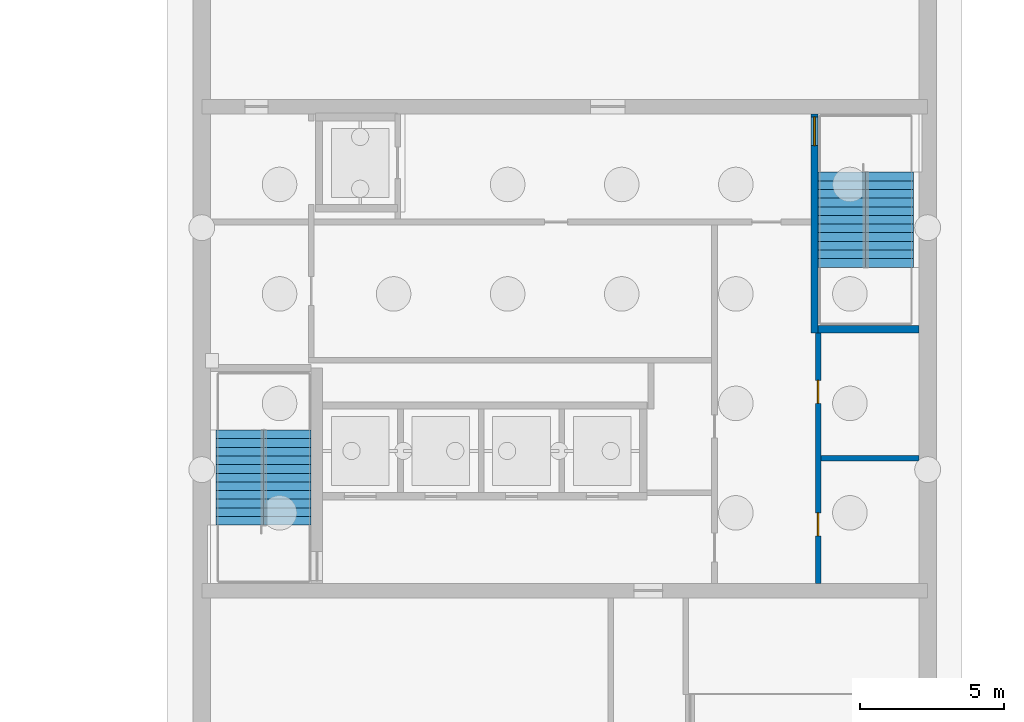
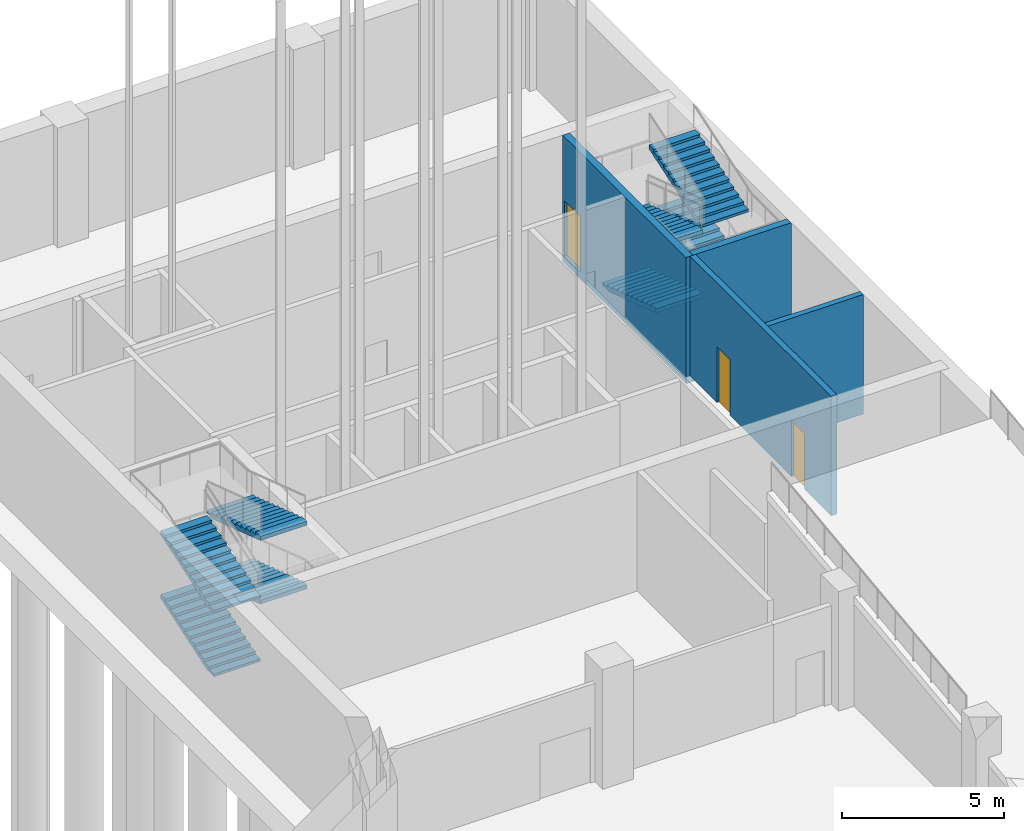
# One storey, part 10 of 26: 8 stair flights, 4 walls, 3 doors, 3 openings, 2 elements without a shape of their own.
"""IFC4 building model written with IfcOpenShell, lengths in metres."""

from ifc_helpers import new_model, si_unit, direction, frame, frame_2d, origin, place, context, subcontext, project, spatial, polyline, rectangle, outline, extrude, material, layer, layer_set, type_object, element, fill, aggregate, save


model = new_model("IFC4")

# Units and contexts
model_context = context("Model", 3, precision=1e-05, world=origin(), true_north=direction((0.0, 1.0)))
body_context = subcontext(model_context, "Body", "Model", "MODEL_VIEW")
ifc_project = project(units=[si_unit("LENGTHUNIT", "METRE"), si_unit("AREAUNIT", "SQUARE_METRE"), si_unit("VOLUMEUNIT", "CUBIC_METRE"), si_unit("PLANEANGLEUNIT", "RADIAN"), si_unit("MASSUNIT", "GRAM", prefix="KILO")], contexts=[model_context])

# Site, building, storey
site_placement = place(None, origin())
site = spatial("IfcSite", under=ifc_project, at=site_placement, CompositionType="ELEMENT")
building_placement = place(site_placement, origin())
building = spatial("IfcBuilding", under=site, at=building_placement, Name="Rulbaag Community and Learning Centre", CompositionType="ELEMENT")
storey_placement = place(building_placement, frame((0.0, 0.0, -9.60009765625)))
storey = spatial("IfcBuildingStorey", under=building, at=storey_placement, Name="B2", CompositionType="ELEMENT", Elevation=-9.60009765625)

# Wall
ifc_material_1 = material(Name="Concrete blockwork", Category="masonry")
ifc_layer_1 = layer(ifc_material_1, 0.199951171875)
ifc_layer_set_1 = layer_set([ifc_layer_1], Name="FW-200 FIRE WALL 200")
wall_type_1 = type_object("IfcWallType", Name="FW-200 FIRE WALL 200", PredefinedType="SOLIDWALL", material=ifc_layer_set_1)
wall_1_placement = place(storey_placement, frame((164.300048828125, 97.0, 0.0), z_axis=(0.0, 0.0, 1.0), x_axis=(1.0, 0.0, 0.0)))
element("IfcWall", 1, at=wall_1_placement, inside=storey, type_object=wall_type_1, Name="Fire wall B2 17", PredefinedType="SOLIDWALL", context=body_context, shape_type="SweptSolid", body=[
    extrude(rectangle(XDim=3.39990234375, YDim=0.199951171875, at=frame_2d((1.699951171875, 0.0))), origin(), (0.0, 0.0, 1.0), 4.5),
])

# Wall, openings, doors
wall_2_placement = place(storey_placement, frame((164.199951171875, 92.64990234375, 0.0), z_axis=(0.0, 0.0, 1.0), x_axis=(0.0, 1.0, 0.0)))
wall_2 = element("IfcWall", 2, at=wall_2_placement, inside=storey, type_object=wall_type_1, Name="Fire wall B2 33", PredefinedType="SOLIDWALL", context=body_context, shape_type="SweptSolid", body=[
    extrude(rectangle(XDim=8.7001953125, YDim=0.199951171875, at=frame_2d((4.35009765625, 0.0))), origin(), (0.0, 0.0, 1.0), 4.5),
])
opening_1_placement = place(wall_2_placement, frame((1.64990234375, 0.0, 0.0)))
opening_1 = element("IfcOpeningElement", 3, at=opening_1_placement, cuts=wall_2, Name="Opening B2-D025", PredefinedType="OPENING", context=body_context, shape_type="SweptSolid", body=[
    extrude(rectangle(XDim=0.800048828125, YDim=2.10009765625, at=frame_2d((0.39990234375, 1.050048828125))), frame((0.0, 0.10986328125, 0.0), z_axis=(0.0, -1.0, 0.0), x_axis=(1.0, 0.0, 0.0)), (0.0, 0.0, 1.0), 0.219970703125),
])
opening_2_placement = place(wall_2_placement, frame((6.25, 0.0, 0.0)))
opening_2 = element("IfcOpeningElement", 4, at=opening_2_placement, cuts=wall_2, Name="Opening B2-D026", PredefinedType="OPENING", context=body_context, shape_type="SweptSolid", body=[
    extrude(rectangle(XDim=0.800048828125, YDim=2.10009765625, at=frame_2d((0.39990234375, 1.050048828125))), frame((0.0, 0.10986328125, 0.0), z_axis=(0.0, -1.0, 0.0), x_axis=(1.0, 0.0, 0.0)), (0.0, 0.0, 1.0), 0.219970703125),
])
ifc_material_2 = material(Name="Galvanised steel", Category="steel")
door_type_1 = type_object("IfcDoorType", Name="FDR-800 RISER FIRE DOOR 800 x 2100", OperationType="SINGLE_SWING_LEFT", PredefinedType="DOOR", material=ifc_material_2)
door_1_placement = place(opening_1_placement, origin())
door_1 = element("IfcDoor", 5, at=door_1_placement, inside=storey, type_object=door_type_1, Name="Riser door B2-D016", OperationType="SINGLE_SWING_LEFT", OverallHeight=2.10009765625, OverallWidth=0.800048828125, PredefinedType="DOOR", context=body_context, shape_type="SweptSolid", body=[
    extrude(rectangle(XDim=0.800048828125, YDim=2.10009765625, at=frame_2d((0.39990234375, 1.050048828125))), frame((0.0, 0.02490234375, 0.0), z_axis=(0.0, -1.0, 0.0), x_axis=(1.0, 0.0, 0.0)), (0.0, 0.0, 1.0), 0.050048828125),
])
fill(opening_1, door_1)
door_2_placement = place(opening_2_placement, origin())
door_2 = element("IfcDoor", 6, at=door_2_placement, inside=storey, type_object=door_type_1, Name="Riser door B2-D017", OperationType="SINGLE_SWING_RIGHT", OverallHeight=2.10009765625, OverallWidth=0.800048828125, PredefinedType="DOOR", context=body_context, shape_type="SweptSolid", body=[
    extrude(rectangle(XDim=0.800048828125, YDim=2.10009765625, at=frame_2d((0.39990234375, 1.050048828125))), frame((0.0, 0.02490234375, 0.0), z_axis=(0.0, -1.0, 0.0), x_axis=(1.0, 0.0, 0.0)), (0.0, 0.0, 1.0), 0.050048828125),
])
fill(opening_2, door_2)

# Wall, opening, door
ifc_material_3 = material(Name="Concrete M40", Category="concrete")
ifc_layer_2 = layer(ifc_material_3, 0.25)
ifc_layer_set_2 = layer_set([ifc_layer_2], Name="W5 Shaft wall 250 Concrete M40")
wall_type_2 = type_object("IfcWallType", Name="W5 Shaft wall 250 Concrete M40", PredefinedType="SHEAR", material=ifc_layer_set_2)
wall_3_placement = place(storey_placement, frame((164.074951171875, 101.35009765625, -0.25), z_axis=(0.0, 0.0, 1.0), x_axis=(0.0, 1.0, 0.0)))
wall_3 = element("IfcWall", 7, at=wall_3_placement, inside=storey, type_object=wall_type_2, Name="WL-ST2-W-B2", PredefinedType="SHEAR", context=body_context, shape_type="SweptSolid", body=[
    extrude(rectangle(XDim=7.599853515625, YDim=0.25, at=frame_2d((3.7998046875, 0.0))), origin(), (0.0, 0.0, 1.0), 4.75),
])
opening_3_placement = place(wall_3_placement, frame((6.5, 0.0, 0.25)))
opening_3 = element("IfcOpeningElement", 8, at=opening_3_placement, cuts=wall_3, Name="Opening B2-D024", PredefinedType="OPENING", context=body_context, shape_type="SweptSolid", body=[
    extrude(rectangle(XDim=1.0, YDim=2.10009765625, at=frame_2d((0.5, 1.050048828125))), frame((0.0, 0.135009765625, 0.0), z_axis=(0.0, -1.0, 0.0), x_axis=(1.0, 0.0, 0.0)), (0.0, 0.0, 1.0), 0.27001953125),
])
door_type_2 = type_object("IfcDoorType", Name="FD-1000 FIRE DOOR 1000 x 2100", OperationType="SINGLE_SWING_LEFT", PredefinedType="DOOR", material=ifc_material_2)
door_3_placement = place(opening_3_placement, origin())
door_3 = element("IfcDoor", 9, at=door_3_placement, inside=storey, type_object=door_type_2, Name="Door B2-D024", OperationType="SINGLE_SWING_LEFT", OverallHeight=2.10009765625, OverallWidth=1.0, PredefinedType="DOOR", context=body_context, shape_type="SweptSolid", body=[
    extrude(rectangle(XDim=1.0, YDim=2.10009765625, at=frame_2d((0.5, 1.050048828125))), frame((0.0, 0.02490234375, 0.0), z_axis=(0.0, -1.0, 0.0), x_axis=(1.0, 0.0, 0.0)), (0.0, 0.0, 1.0), 0.050048828125),
])
fill(opening_3, door_3)

# Wall
wall_4_placement = place(storey_placement, frame((164.199951171875, 101.47509765625, -0.25), z_axis=(0.0, 0.0, 1.0), x_axis=(1.0, 0.0, 0.0)))
element("IfcWall", 10, at=wall_4_placement, inside=storey, type_object=wall_type_2, Name="WL-ST2-S-B2", PredefinedType="SHEAR", context=body_context, shape_type="SweptSolid", body=[
    extrude(rectangle(XDim=3.5, YDim=0.25, at=frame_2d((1.75, 0.0))), origin(), (0.0, 0.0, 1.0), 4.75),
])

# Stair, stair flights
stair_type = type_object("IfcStairType", Name="ST-1650 STAIR 1650 WIDE", PredefinedType="HALF_TURN_STAIR", material=ifc_material_3)
stair_1_placement = place(storey_placement, origin())
stair_1 = element("IfcStair", 11, at=stair_1_placement, inside=storey, type_object=stair_type, Name="Stair ST1 B2", PredefinedType="HALF_TURN_STAIR")
stair_flight_type = type_object("IfcStairFlightType", Name="FL-1650 FLIGHT 1650 WIDE Concrete M40", PredefinedType="STRAIGHT", material=ifc_material_3)
stair_flight_1_placement = place(storey_placement, frame((144.125, 94.675048828125, 0.0), z_axis=(0.0, 0.0, 1.0), x_axis=(0.0, 1.0, 0.0)))
stair_flight_1 = element("IfcStairFlight", 12, at=stair_flight_1_placement, type_object=stair_flight_type, Name="ST1 flight 1", NumberOfRisers=12, NumberOfTreads=11, PredefinedType="STRAIGHT", RiserHeight=0.1, TreadLength=0.3, context=body_context, shape_type="SweptSolid", body=[
    extrude(outline(polyline([(0.0, 0.0), (0.0, 0.10009765625), (0.300048828125, 0.10009765625), (0.300048828125, 0.199951171875), (0.60009765625, 0.199951171875), (0.60009765625, 0.300048828125), (0.89990234375, 0.300048828125), (0.89990234375, 0.39990234375), (1.199951171875, 0.39990234375), (1.199951171875, 0.5), (1.5, 0.5), (1.5, 0.60009765625), (1.800048828125, 0.60009765625), (1.800048828125, 0.699951171875), (2.10009765625, 0.699951171875), (2.10009765625, 0.800048828125), (2.39990234375, 0.800048828125), (2.39990234375, 0.89990234375), (2.699951171875, 0.89990234375), (2.699951171875, 1.0), (3.0, 1.0), (3.0, 1.10009765625), (3.300048828125, 1.10009765625), (3.300048828125, 0.95263671875), (0.4423828125, 0.0), (0.0, 0.0)])), frame((0.0, 0.824951171875, 0.0), z_axis=(0.0, -1.0, 0.0), x_axis=(1.0, 0.0, 0.0)), (0.0, 0.0, 1.0), 1.64990234375),
])
stair_flight_2_placement = place(storey_placement, frame((145.77490234375, 97.97509765625, 1.2001953125), z_axis=(0.0, 0.0, 1.0), x_axis=(0.0, -1.0, 0.0)))
stair_flight_2 = element("IfcStairFlight", 13, at=stair_flight_2_placement, type_object=stair_flight_type, Name="ST1 flight 2", NumberOfRisers=12, NumberOfTreads=11, PredefinedType="STRAIGHT", RiserHeight=0.1, TreadLength=0.3, context=body_context, shape_type="SweptSolid", body=[
    extrude(outline(polyline([(0.0, 0.0), (0.0, 0.10009765625), (0.300048828125, 0.10009765625), (0.300048828125, 0.199951171875), (0.60009765625, 0.199951171875), (0.60009765625, 0.300048828125), (0.89990234375, 0.300048828125), (0.89990234375, 0.39990234375), (1.199951171875, 0.39990234375), (1.199951171875, 0.5), (1.5, 0.5), (1.5, 0.60009765625), (1.800048828125, 0.60009765625), (1.800048828125, 0.699951171875), (2.10009765625, 0.699951171875), (2.10009765625, 0.800048828125), (2.39990234375, 0.800048828125), (2.39990234375, 0.89990234375), (2.699951171875, 0.89990234375), (2.699951171875, 1.0), (3.0, 1.0), (3.0, 1.10009765625), (3.300048828125, 1.10009765625), (3.300048828125, 0.95263671875), (0.4423828125, 0.0), (0.0, 0.0)])), frame((0.0, 0.824951171875, 0.0), z_axis=(0.0, -1.0, 0.0), x_axis=(1.0, 0.0, 0.0)), (0.0, 0.0, 1.0), 1.64990234375),
])
stair_flight_3_placement = place(storey_placement, frame((144.125, 94.675048828125, 2.400146484375), z_axis=(0.0, 0.0, 1.0), x_axis=(0.0, 1.0, 0.0)))
stair_flight_3 = element("IfcStairFlight", 14, at=stair_flight_3_placement, type_object=stair_flight_type, Name="ST1 flight 3", NumberOfRisers=12, NumberOfTreads=11, PredefinedType="STRAIGHT", RiserHeight=0.1, TreadLength=0.3, context=body_context, shape_type="SweptSolid", body=[
    extrude(outline(polyline([(0.0, 0.0), (0.0, 0.10009765625), (0.300048828125, 0.10009765625), (0.300048828125, 0.199951171875), (0.60009765625, 0.199951171875), (0.60009765625, 0.300048828125), (0.89990234375, 0.300048828125), (0.89990234375, 0.39990234375), (1.199951171875, 0.39990234375), (1.199951171875, 0.5), (1.5, 0.5), (1.5, 0.60009765625), (1.800048828125, 0.60009765625), (1.800048828125, 0.699951171875), (2.10009765625, 0.699951171875), (2.10009765625, 0.800048828125), (2.39990234375, 0.800048828125), (2.39990234375, 0.89990234375), (2.699951171875, 0.89990234375), (2.699951171875, 1.0), (3.0, 1.0), (3.0, 1.10009765625), (3.300048828125, 1.10009765625), (3.300048828125, 0.95263671875), (0.4423828125, 0.0), (0.0, 0.0)])), frame((0.0, 0.824951171875, 0.0), z_axis=(0.0, -1.0, 0.0), x_axis=(1.0, 0.0, 0.0)), (0.0, 0.0, 1.0), 1.64990234375),
])
stair_flight_4_placement = place(storey_placement, frame((145.77490234375, 97.97509765625, 3.60009765625), z_axis=(0.0, 0.0, 1.0), x_axis=(0.0, -1.0, 0.0)))
stair_flight_4 = element("IfcStairFlight", 15, at=stair_flight_4_placement, type_object=stair_flight_type, Name="ST1 flight 4", NumberOfRisers=12, NumberOfTreads=11, PredefinedType="STRAIGHT", RiserHeight=0.1, TreadLength=0.3, context=body_context, shape_type="SweptSolid", body=[
    extrude(outline(polyline([(0.0, 0.0), (0.0, 0.10009765625), (0.300048828125, 0.10009765625), (0.300048828125, 0.199951171875), (0.60009765625, 0.199951171875), (0.60009765625, 0.300048828125), (0.89990234375, 0.300048828125), (0.89990234375, 0.39990234375), (1.199951171875, 0.39990234375), (1.199951171875, 0.5), (1.5, 0.5), (1.5, 0.60009765625), (1.800048828125, 0.60009765625), (1.800048828125, 0.699951171875), (2.10009765625, 0.699951171875), (2.10009765625, 0.800048828125), (2.39990234375, 0.800048828125), (2.39990234375, 0.89990234375), (2.699951171875, 0.89990234375), (2.699951171875, 1.0), (3.0, 1.0), (3.0, 1.10009765625), (3.300048828125, 1.10009765625), (3.300048828125, 0.95263671875), (0.4423828125, 0.0), (0.0, 0.0)])), frame((0.0, 0.824951171875, 0.0), z_axis=(0.0, -1.0, 0.0), x_axis=(1.0, 0.0, 0.0)), (0.0, 0.0, 1.0), 1.64990234375),
])
aggregate(stair_1, [stair_flight_1, stair_flight_2, stair_flight_3, stair_flight_4])

stair_2_placement = place(storey_placement, origin())
stair_2 = element("IfcStair", 16, at=stair_2_placement, inside=storey, type_object=stair_type, Name="Stair ST2 B2", PredefinedType="HALF_TURN_STAIR")
stair_flight_5_placement = place(storey_placement, frame((165.02490234375, 106.925048828125, 0.0), z_axis=(0.0, 0.0, 1.0), x_axis=(0.0, -1.0, 0.0)))
stair_flight_5 = element("IfcStairFlight", 17, at=stair_flight_5_placement, type_object=stair_flight_type, Name="ST2 flight 1", NumberOfRisers=12, NumberOfTreads=11, PredefinedType="STRAIGHT", RiserHeight=0.1, TreadLength=0.3, context=body_context, shape_type="SweptSolid", body=[
    extrude(outline(polyline([(0.0, 0.0), (0.0, 0.10009765625), (0.300048828125, 0.10009765625), (0.300048828125, 0.199951171875), (0.60009765625, 0.199951171875), (0.60009765625, 0.300048828125), (0.89990234375, 0.300048828125), (0.89990234375, 0.39990234375), (1.199951171875, 0.39990234375), (1.199951171875, 0.5), (1.5, 0.5), (1.5, 0.60009765625), (1.800048828125, 0.60009765625), (1.800048828125, 0.699951171875), (2.10009765625, 0.699951171875), (2.10009765625, 0.800048828125), (2.39990234375, 0.800048828125), (2.39990234375, 0.89990234375), (2.699951171875, 0.89990234375), (2.699951171875, 1.0), (3.0, 1.0), (3.0, 1.10009765625), (3.300048828125, 1.10009765625), (3.300048828125, 0.95263671875), (0.4423828125, 0.0), (0.0, 0.0)])), frame((0.0, 0.824951171875, 0.0), z_axis=(0.0, -1.0, 0.0), x_axis=(1.0, 0.0, 0.0)), (0.0, 0.0, 1.0), 1.64990234375),
])
stair_flight_6_placement = place(storey_placement, frame((166.675048828125, 103.625, 1.2001953125), z_axis=(0.0, 0.0, 1.0), x_axis=(0.0, 1.0, 0.0)))
stair_flight_6 = element("IfcStairFlight", 18, at=stair_flight_6_placement, type_object=stair_flight_type, Name="ST2 flight 2", NumberOfRisers=12, NumberOfTreads=11, PredefinedType="STRAIGHT", RiserHeight=0.1, TreadLength=0.3, context=body_context, shape_type="SweptSolid", body=[
    extrude(outline(polyline([(0.0, 0.0), (0.0, 0.10009765625), (0.300048828125, 0.10009765625), (0.300048828125, 0.199951171875), (0.60009765625, 0.199951171875), (0.60009765625, 0.300048828125), (0.89990234375, 0.300048828125), (0.89990234375, 0.39990234375), (1.199951171875, 0.39990234375), (1.199951171875, 0.5), (1.5, 0.5), (1.5, 0.60009765625), (1.800048828125, 0.60009765625), (1.800048828125, 0.699951171875), (2.10009765625, 0.699951171875), (2.10009765625, 0.800048828125), (2.39990234375, 0.800048828125), (2.39990234375, 0.89990234375), (2.699951171875, 0.89990234375), (2.699951171875, 1.0), (3.0, 1.0), (3.0, 1.10009765625), (3.300048828125, 1.10009765625), (3.300048828125, 0.95263671875), (0.4423828125, 0.0), (0.0, 0.0)])), frame((0.0, 0.824951171875, 0.0), z_axis=(0.0, -1.0, 0.0), x_axis=(1.0, 0.0, 0.0)), (0.0, 0.0, 1.0), 1.64990234375),
])
stair_flight_7_placement = place(storey_placement, frame((165.02490234375, 106.925048828125, 2.400146484375), z_axis=(0.0, 0.0, 1.0), x_axis=(0.0, -1.0, 0.0)))
stair_flight_7 = element("IfcStairFlight", 19, at=stair_flight_7_placement, type_object=stair_flight_type, Name="ST2 flight 3", NumberOfRisers=12, NumberOfTreads=11, PredefinedType="STRAIGHT", RiserHeight=0.1, TreadLength=0.3, context=body_context, shape_type="SweptSolid", body=[
    extrude(outline(polyline([(0.0, 0.0), (0.0, 0.10009765625), (0.300048828125, 0.10009765625), (0.300048828125, 0.199951171875), (0.60009765625, 0.199951171875), (0.60009765625, 0.300048828125), (0.89990234375, 0.300048828125), (0.89990234375, 0.39990234375), (1.199951171875, 0.39990234375), (1.199951171875, 0.5), (1.5, 0.5), (1.5, 0.60009765625), (1.800048828125, 0.60009765625), (1.800048828125, 0.699951171875), (2.10009765625, 0.699951171875), (2.10009765625, 0.800048828125), (2.39990234375, 0.800048828125), (2.39990234375, 0.89990234375), (2.699951171875, 0.89990234375), (2.699951171875, 1.0), (3.0, 1.0), (3.0, 1.10009765625), (3.300048828125, 1.10009765625), (3.300048828125, 0.95263671875), (0.4423828125, 0.0), (0.0, 0.0)])), frame((0.0, 0.824951171875, 0.0), z_axis=(0.0, -1.0, 0.0), x_axis=(1.0, 0.0, 0.0)), (0.0, 0.0, 1.0), 1.64990234375),
])
stair_flight_8_placement = place(storey_placement, frame((166.675048828125, 103.625, 3.60009765625), z_axis=(0.0, 0.0, 1.0), x_axis=(0.0, 1.0, 0.0)))
stair_flight_8 = element("IfcStairFlight", 20, at=stair_flight_8_placement, type_object=stair_flight_type, Name="ST2 flight 4", NumberOfRisers=12, NumberOfTreads=11, PredefinedType="STRAIGHT", RiserHeight=0.1, TreadLength=0.3, context=body_context, shape_type="SweptSolid", body=[
    extrude(outline(polyline([(0.0, 0.0), (0.0, 0.10009765625), (0.300048828125, 0.10009765625), (0.300048828125, 0.199951171875), (0.60009765625, 0.199951171875), (0.60009765625, 0.300048828125), (0.89990234375, 0.300048828125), (0.89990234375, 0.39990234375), (1.199951171875, 0.39990234375), (1.199951171875, 0.5), (1.5, 0.5), (1.5, 0.60009765625), (1.800048828125, 0.60009765625), (1.800048828125, 0.699951171875), (2.10009765625, 0.699951171875), (2.10009765625, 0.800048828125), (2.39990234375, 0.800048828125), (2.39990234375, 0.89990234375), (2.699951171875, 0.89990234375), (2.699951171875, 1.0), (3.0, 1.0), (3.0, 1.10009765625), (3.300048828125, 1.10009765625), (3.300048828125, 0.95263671875), (0.4423828125, 0.0), (0.0, 0.0)])), frame((0.0, 0.824951171875, 0.0), z_axis=(0.0, -1.0, 0.0), x_axis=(1.0, 0.0, 0.0)), (0.0, 0.0, 1.0), 1.64990234375),
])
aggregate(stair_2, [stair_flight_5, stair_flight_6, stair_flight_7, stair_flight_8])

save(model, "model.ifc")
